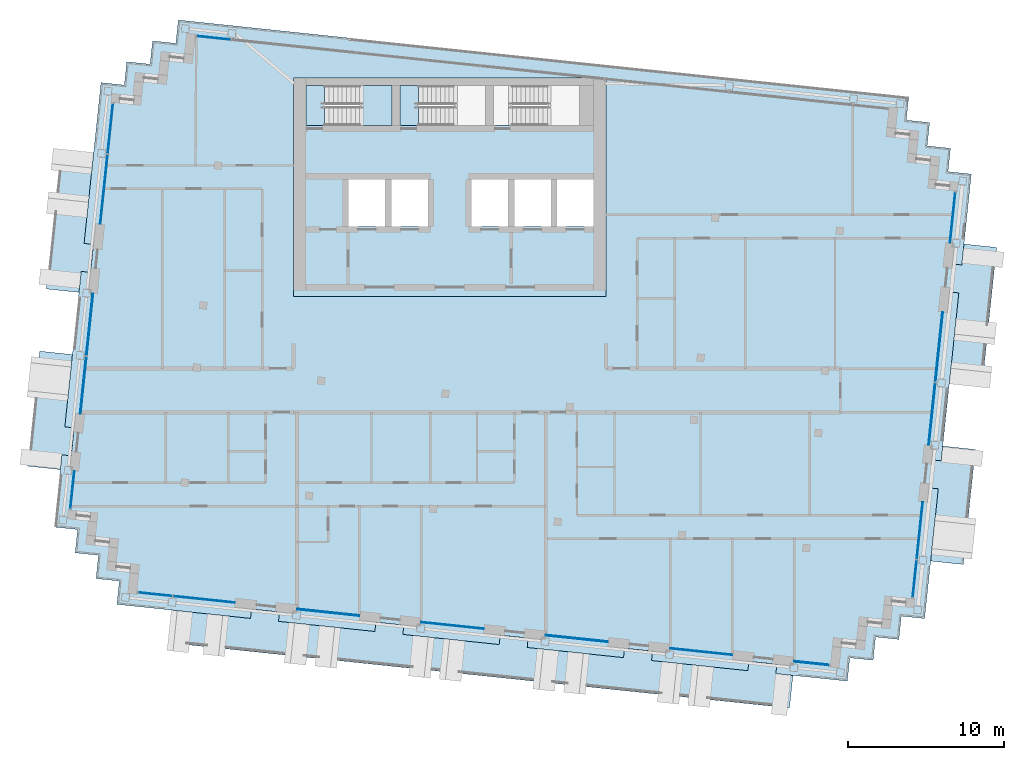
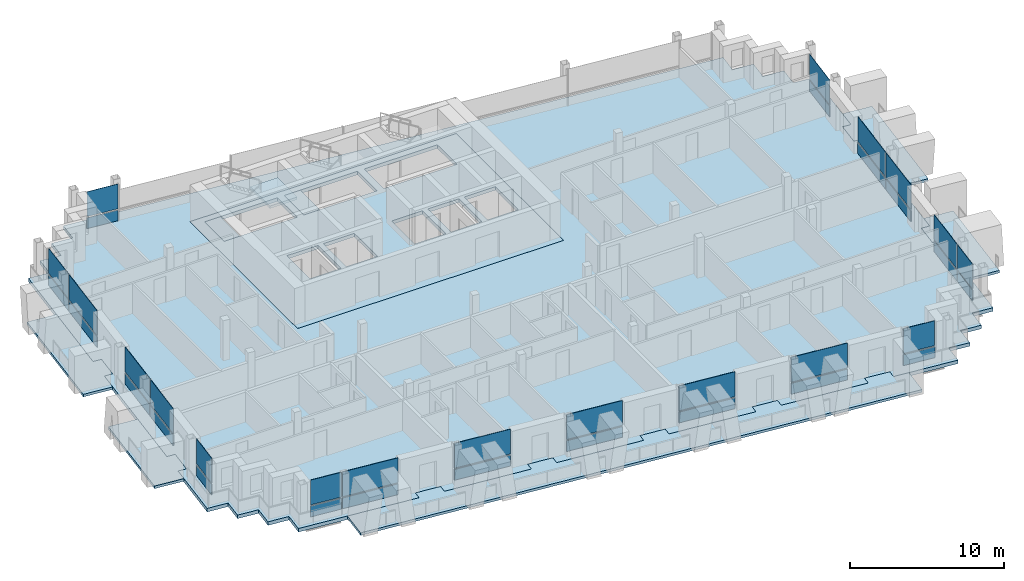
# One storey, part 7 of 16: 36 plates, 10 slabs, 14 elements without a shape of their own.
"""IFC4 building model written with IfcOpenShell, lengths in metres."""

from ifc_helpers import new_model, si_unit, direction, frame, origin, origin_2d, place, context, subcontext, project, spatial, polyline, rectangle, outline, extrude, material, layer, layer_set, type_object, element, aggregate, save


model = new_model("IFC4")

# Units and contexts
model_context = context("Model", 3, precision=1e-05, world=origin(), true_north=direction((0.0, 1.0)))
body_context = subcontext(model_context, "Body", "Model", "MODEL_VIEW")
ifc_project = project(units=[si_unit("LENGTHUNIT", "METRE"), si_unit("AREAUNIT", "SQUARE_METRE"), si_unit("VOLUMEUNIT", "CUBIC_METRE"), si_unit("PLANEANGLEUNIT", "RADIAN"), si_unit("MASSUNIT", "GRAM", prefix="KILO")], contexts=[model_context])

# Site, building, storey
site_placement = place(None, origin())
site = spatial("IfcSite", under=ifc_project, at=site_placement, CompositionType="ELEMENT")
building_placement = place(site_placement, origin())
building = spatial("IfcBuilding", under=site, at=building_placement, Name="Vidyagriha Tower", CompositionType="ELEMENT")
storey_placement = place(building_placement, frame((0.0, 0.0, 275.5)))
storey = spatial("IfcBuildingStorey", under=building, at=storey_placement, Name="L72", CompositionType="ELEMENT", Elevation=275.5)

# Curtain wall, plate
ifc_material_1 = material(Name="Aluminium and glass curtain wall", Category="aluminium")
curtain_wall_type = type_object("IfcCurtainWallType", Name="Dwelling skin unitised curtain wall", PredefinedType="USERDEFINED", material=ifc_material_1)
curtain_wall_1_placement = place(storey_placement, origin())
curtain_wall_1 = element("IfcCurtainWall", 1, at=curtain_wall_1_placement, inside=storey, type_object=curtain_wall_type, Name="CW1 dwelling skin", ObjectType="UNITISED", PredefinedType="USERDEFINED")
ifc_material_2 = material(Name="Glass dark ceramic-fritted spandrel", Category="glass")
ifc_layer_1 = layer(ifc_material_2, 0.0400390625)
ifc_layer_set_1 = layer_set([ifc_layer_1], Name="Glass dark ceramic-fritted spandrel")
plate_type_1 = type_object("IfcPlateType", Name="Ceramic-fritted spandrel panel", PredefinedType="CURTAIN_PANEL", material=ifc_layer_set_1)
plate_1_placement = place(storey_placement, frame((-15.11083984375, 22.56396484375, 0.0), z_axis=(0.0, 0.0, 1.0), x_axis=(-0.994521854435, 0.104528852722, 0.0)))
plate_1 = element("IfcPlate", 2, at=plate_1_placement, type_object=plate_type_1, Name="CW1 panel 7.1", PredefinedType="CURTAIN_PANEL", context=body_context, shape_type="SweptSolid", body=[
    extrude(rectangle(XDim=2.195068359375, YDim=0.0400390625, at=origin_2d()), origin(), (0.0, 0.0, 1.0), 0.85009765625),
])

# Curtain wall, plates
curtain_wall_2_placement = place(storey_placement, origin())
curtain_wall_2 = element("IfcCurtainWall", 3, at=curtain_wall_2_placement, inside=storey, type_object=curtain_wall_type, Name="CW1 dwelling skin", ObjectType="UNITISED", PredefinedType="USERDEFINED")
plate_2_placement = place(storey_placement, frame((-21.7216796875, 16.755615234375, 0.0), z_axis=(0.0, 0.0, 1.0), x_axis=(-0.104525282489, -0.994522229676, 0.0)))
plate_2 = element("IfcPlate", 4, at=plate_2_placement, type_object=plate_type_1, Name="CW1 panel 1.1", PredefinedType="CURTAIN_PANEL", context=body_context, shape_type="SweptSolid", body=[
    extrude(rectangle(XDim=3.195068359375, YDim=0.0400390625, at=origin_2d()), origin(), (0.0, 0.0, 1.0), 0.85009765625),
])
plate_3_placement = place(storey_placement, frame((-22.12939453125, 12.876953125, 0.0), z_axis=(0.0, 0.0, 1.0), x_axis=(-0.104525282489, -0.994522229676, 0.0)))
plate_3 = element("IfcPlate", 5, at=plate_3_placement, type_object=plate_type_1, Name="CW1 panel 2.1", PredefinedType="CURTAIN_PANEL", context=body_context, shape_type="SweptSolid", body=[
    extrude(rectangle(XDim=4.465087890625, YDim=0.0400390625, at=origin_2d()), origin(), (0.0, 0.0, 1.0), 0.85009765625),
])

# Curtain wall, plate
curtain_wall_3_placement = place(storey_placement, origin())
curtain_wall_3 = element("IfcCurtainWall", 6, at=curtain_wall_3_placement, inside=storey, type_object=curtain_wall_type, Name="CW1 dwelling skin", ObjectType="UNITISED", PredefinedType="USERDEFINED")
plate_4_placement = place(storey_placement, frame((-24.151611328125, -6.364501953125, 0.0), z_axis=(0.0, 0.0, 1.0), x_axis=(-0.10451613172, -0.994523191389, 0.0)))
plate_4 = element("IfcPlate", 7, at=plate_4_placement, type_object=plate_type_1, Name="CW1 panel 1.1", PredefinedType="CURTAIN_PANEL", context=body_context, shape_type="SweptSolid", body=[
    extrude(rectangle(XDim=2.43017578125, YDim=0.0400390625, at=origin_2d()), origin(), (0.0, 0.0, 1.0), 0.85009765625),
])

# Curtain wall, plates
curtain_wall_4_placement = place(storey_placement, origin())
curtain_wall_4 = element("IfcCurtainWall", 8, at=curtain_wall_4_placement, inside=storey, type_object=curtain_wall_type, Name="CW1 dwelling skin", ObjectType="UNITISED", PredefinedType="USERDEFINED")
plate_5_placement = place(storey_placement, frame((-18.852783203125, -13.0400390625, 0.0), z_axis=(0.0, 0.0, 1.0), x_axis=(0.994522400055, -0.104523661385, 0.0)))
plate_5 = element("IfcPlate", 9, at=plate_5_placement, type_object=plate_type_1, Name="CW1 panel 1.1", PredefinedType="CURTAIN_PANEL", context=body_context, shape_type="SweptSolid", body=[
    extrude(rectangle(XDim=2.195068359375, YDim=0.0400390625, at=origin_2d()), origin(), (0.0, 0.0, 1.0), 0.85009765625),
])
plate_6_placement = place(storey_placement, frame((-15.72021484375, -13.369384765625, 0.0), z_axis=(0.0, 0.0, 1.0), x_axis=(0.994522400055, -0.104523661385, 0.0)))
plate_6 = element("IfcPlate", 10, at=plate_6_placement, type_object=plate_type_1, Name="CW1 panel 2.1", PredefinedType="CURTAIN_PANEL", context=body_context, shape_type="SweptSolid", body=[
    extrude(rectangle(XDim=3.965087890625, YDim=0.0400390625, at=origin_2d()), origin(), (0.0, 0.0, 1.0), 0.85009765625),
])

# Curtain wall, plate
curtain_wall_5_placement = place(storey_placement, origin())
curtain_wall_5 = element("IfcCurtainWall", 11, at=curtain_wall_5_placement, inside=storey, type_object=curtain_wall_type, Name="CW1 dwelling skin", ObjectType="UNITISED", PredefinedType="USERDEFINED")
plate_7_placement = place(storey_placement, frame((0.1748046875, -15.039794921875, 0.0), z_axis=(0.0, 0.0, 1.0), x_axis=(0.994522016164, -0.104527313963, 0.0)))
plate_7 = element("IfcPlate", 12, at=plate_7_placement, type_object=plate_type_1, Name="CW1 panel 1.1", PredefinedType="CURTAIN_PANEL", context=body_context, shape_type="SweptSolid", body=[
    extrude(rectangle(XDim=4.0, YDim=0.0400390625, at=origin_2d()), origin(), (0.0, 0.0, 1.0), 0.85009765625),
])

curtain_wall_6_placement = place(storey_placement, origin())
curtain_wall_6 = element("IfcCurtainWall", 13, at=curtain_wall_6_placement, inside=storey, type_object=curtain_wall_type, Name="CW1 dwelling skin", ObjectType="UNITISED", PredefinedType="USERDEFINED")
plate_8_placement = place(storey_placement, frame((16.087158203125, -16.71240234375, 0.0), z_axis=(0.0, 0.0, 1.0), x_axis=(0.994522289309, -0.104524715101, 0.0)))
plate_8 = element("IfcPlate", 14, at=plate_8_placement, type_object=plate_type_1, Name="CW1 panel 1.1", PredefinedType="CURTAIN_PANEL", context=body_context, shape_type="SweptSolid", body=[
    extrude(rectangle(XDim=4.0, YDim=0.0400390625, at=origin_2d()), origin(), (0.0, 0.0, 1.0), 0.85009765625),
])

# Curtain wall, plates
curtain_wall_7_placement = place(storey_placement, origin())
curtain_wall_7 = element("IfcCurtainWall", 15, at=curtain_wall_7_placement, inside=storey, type_object=curtain_wall_type, Name="CW1 dwelling skin", ObjectType="UNITISED", PredefinedType="USERDEFINED")
plate_9_placement = place(storey_placement, frame((29.74951171875, -12.04736328125, 0.0), z_axis=(0.0, 0.0, 1.0), x_axis=(0.10453281607, 0.994521437861, 0.0)))
plate_9 = element("IfcPlate", 16, at=plate_9_placement, type_object=plate_type_1, Name="CW1 panel 1.1", PredefinedType="CURTAIN_PANEL", context=body_context, shape_type="SweptSolid", body=[
    extrude(rectangle(XDim=2.39501953125, YDim=0.0400390625, at=origin_2d()), origin(), (0.0, 0.0, 1.0), 0.85009765625),
])
plate_10_placement = place(storey_placement, frame((30.073486328125, -8.96435546875, 0.0), z_axis=(0.0, 0.0, 1.0), x_axis=(0.10453281607, 0.994521437861, 0.0)))
plate_10 = element("IfcPlate", 17, at=plate_10_placement, type_object=plate_type_1, Name="CW1 panel 2.1", PredefinedType="CURTAIN_PANEL", context=body_context, shape_type="SweptSolid", body=[
    extrude(rectangle(XDim=3.6650390625, YDim=0.0400390625, at=origin_2d()), origin(), (0.0, 0.0, 1.0), 0.85009765625),
])

# Curtain wall, plate
curtain_wall_8_placement = place(storey_placement, origin())
curtain_wall_8 = element("IfcCurtainWall", 18, at=curtain_wall_8_placement, inside=storey, type_object=curtain_wall_type, Name="CW1 dwelling skin", ObjectType="UNITISED", PredefinedType="USERDEFINED")
plate_11_placement = place(storey_placement, frame((32.1796875, 11.07275390625, 0.0), z_axis=(0.0, 0.0, 1.0), x_axis=(0.10451599791, 0.994523205451, 0.0)))
plate_11 = element("IfcPlate", 19, at=plate_11_placement, type_object=plate_type_1, Name="CW1 panel 1.1", PredefinedType="CURTAIN_PANEL", context=body_context, shape_type="SweptSolid", body=[
    extrude(rectangle(XDim=3.22998046875, YDim=0.0400390625, at=origin_2d()), origin(), (0.0, 0.0, 1.0), 0.85009765625),
])

# Slab
ifc_material_3 = material(Name="Concrete C60/75", Category="concrete")
ifc_layer_2 = layer(ifc_material_3, 0.280029296875)
ifc_layer_set_2 = layer_set([ifc_layer_2], Name="Concrete C60/75")
slab_type_1 = type_object("IfcSlabType", Name="Core floor slab 280 mm", PredefinedType="FLOOR", material=ifc_layer_set_2)
slab_1_placement = place(storey_placement, frame((0.0, 0.0, -0.280029296875)))
element("IfcSlab", 20, at=slab_1_placement, inside=storey, type_object=slab_type_1, Name="L72 core floor 1", PredefinedType="FLOOR", context=body_context, shape_type="SweptSolid", body=[
    extrude(outline(polyline([(-10.0, 6.0), (-10.0, 20.0), (10.0, 20.0), (10.0, 6.0), (-10.0, 6.0)]), holes=[polyline([(6.86669921875, 13.5), (6.86669921875, 10.5), (9.199951171875, 10.5), (9.199951171875, 13.5), (6.86669921875, 13.5)]), polyline([(4.0, 19.5), (2.800048828125, 19.5), (2.800048828125, 16.949951171875), (4.0, 16.949951171875), (8.300048828125, 16.949951171875), (8.300048828125, 19.5), (4.0, 19.5)]), polyline([(6.466796875, 13.5), (4.13330078125, 13.5), (4.13330078125, 10.5), (6.466796875, 10.5), (6.466796875, 13.5)]), polyline([(3.7333984375, 13.5), (1.39990234375, 13.5), (1.39990234375, 10.5), (3.7333984375, 10.5), (3.7333984375, 13.5)]), polyline([(-2.0, 16.949951171875), (2.300048828125, 16.949951171875), (2.300048828125, 19.5), (-2.0, 19.5), (-3.199951171875, 19.5), (-3.199951171875, 16.949951171875), (-2.0, 16.949951171875)]), polyline([(-3.7333984375, 13.5), (-3.7333984375, 10.5), (-1.39990234375, 10.5), (-1.39990234375, 13.5), (-3.7333984375, 13.5)]), polyline([(-9.199951171875, 19.5), (-9.199951171875, 16.949951171875), (-8.0, 16.949951171875), (-3.699951171875, 16.949951171875), (-3.699951171875, 19.5), (-8.0, 19.5), (-9.199951171875, 19.5)]), polyline([(-6.466796875, 13.5), (-6.466796875, 10.5), (-4.13330078125, 10.5), (-4.13330078125, 13.5), (-6.466796875, 13.5)])]), origin(), (0.0, 0.0, 1.0), 0.280029296875),
])

# Plate
ifc_material_4 = material(Name="Glass dark ceramic-fritted", Category="glass")
ifc_layer_3 = layer(ifc_material_4, 0.028076171875)
ifc_layer_set_3 = layer_set([ifc_layer_3], Name="Glass dark ceramic-fritted")
plate_type_2 = type_object("IfcPlateType", Name="Dark ceramic-fritted vision glass panel", PredefinedType="CURTAIN_PANEL", material=ifc_layer_set_3)
plate_12_placement = place(storey_placement, frame((-15.11083984375, 22.56396484375, 0.9501953125), z_axis=(0.0, 0.0, 1.0), x_axis=(-0.994521854435, 0.104528852722, 0.0)))
plate_12 = element("IfcPlate", 21, at=plate_12_placement, type_object=plate_type_2, Name="CW1 panel 7.2", PredefinedType="CURTAIN_PANEL", context=body_context, shape_type="SweptSolid", body=[
    extrude(rectangle(XDim=2.195068359375, YDim=0.028076171875, at=origin_2d()), origin(), (0.0, 0.0, 1.0), 1.969970703125),
])

aggregate(curtain_wall_1, [plate_1, plate_12])

plate_13_placement = place(storey_placement, frame((-21.7216796875, 16.755615234375, 0.9501953125), z_axis=(0.0, 0.0, 1.0), x_axis=(-0.104525282489, -0.994522229676, 0.0)))
plate_13 = element("IfcPlate", 22, at=plate_13_placement, type_object=plate_type_2, Name="CW1 panel 1.2", PredefinedType="CURTAIN_PANEL", context=body_context, shape_type="SweptSolid", body=[
    extrude(rectangle(XDim=3.195068359375, YDim=0.028076171875, at=origin_2d()), origin(), (0.0, 0.0, 1.0), 1.969970703125),
])

plate_14_placement = place(storey_placement, frame((-22.12939453125, 12.876953125, 0.9501953125), z_axis=(0.0, 0.0, 1.0), x_axis=(-0.104525282489, -0.994522229676, 0.0)))
plate_14 = element("IfcPlate", 23, at=plate_14_placement, type_object=plate_type_2, Name="CW1 panel 2.2", PredefinedType="CURTAIN_PANEL", context=body_context, shape_type="SweptSolid", body=[
    extrude(rectangle(XDim=4.465087890625, YDim=0.028076171875, at=origin_2d()), origin(), (0.0, 0.0, 1.0), 1.969970703125),
])

aggregate(curtain_wall_2, [plate_2, plate_13, plate_3, plate_14])

# Curtain wall, plates
curtain_wall_9_placement = place(storey_placement, origin())
curtain_wall_9 = element("IfcCurtainWall", 24, at=curtain_wall_9_placement, inside=storey, type_object=curtain_wall_type, Name="CW1 dwelling skin", ObjectType="UNITISED", PredefinedType="USERDEFINED")
plate_15_placement = place(storey_placement, frame((-23.040283203125, 4.209716796875, 0.9501953125), z_axis=(0.0, 0.0, 1.0), x_axis=(-0.10453267483, -0.994521452706, 0.0)))
plate_15 = element("IfcPlate", 25, at=plate_15_placement, type_object=plate_type_2, Name="CW1 panel 1.2", PredefinedType="CURTAIN_PANEL", context=body_context, shape_type="SweptSolid", body=[
    extrude(rectangle(XDim=3.965087890625, YDim=0.028076171875, at=origin_2d()), origin(), (0.0, 0.0, 1.0), 1.969970703125),
])
plate_16_placement = place(storey_placement, frame((-23.4462890625, 0.345947265625, 0.9501953125), z_axis=(0.0, 0.0, 1.0), x_axis=(-0.10453267483, -0.994521452706, 0.0)))
plate_16 = element("IfcPlate", 26, at=plate_16_placement, type_object=plate_type_2, Name="CW1 panel 2.2", PredefinedType="CURTAIN_PANEL", context=body_context, shape_type="SweptSolid", body=[
    extrude(rectangle(XDim=3.6650390625, YDim=0.028076171875, at=origin_2d()), origin(), (0.0, 0.0, 1.0), 1.969970703125),
])

# Plate
plate_17_placement = place(storey_placement, frame((-24.151611328125, -6.364501953125, 0.9501953125), z_axis=(0.0, 0.0, 1.0), x_axis=(-0.10451613172, -0.994523191389, 0.0)))
plate_17 = element("IfcPlate", 27, at=plate_17_placement, type_object=plate_type_2, Name="CW1 panel 1.2", PredefinedType="CURTAIN_PANEL", context=body_context, shape_type="SweptSolid", body=[
    extrude(rectangle(XDim=2.43017578125, YDim=0.028076171875, at=origin_2d()), origin(), (0.0, 0.0, 1.0), 1.969970703125),
])

aggregate(curtain_wall_3, [plate_4, plate_17])

plate_18_placement = place(storey_placement, frame((-18.852783203125, -13.0400390625, 0.9501953125), z_axis=(0.0, 0.0, 1.0), x_axis=(0.994522400055, -0.104523661385, 0.0)))
plate_18 = element("IfcPlate", 28, at=plate_18_placement, type_object=plate_type_2, Name="CW1 panel 1.2", PredefinedType="CURTAIN_PANEL", context=body_context, shape_type="SweptSolid", body=[
    extrude(rectangle(XDim=2.195068359375, YDim=0.028076171875, at=origin_2d()), origin(), (0.0, 0.0, 1.0), 1.969970703125),
])

plate_19_placement = place(storey_placement, frame((-15.72021484375, -13.369384765625, 0.9501953125), z_axis=(0.0, 0.0, 1.0), x_axis=(0.994522400055, -0.104523661385, 0.0)))
plate_19 = element("IfcPlate", 29, at=plate_19_placement, type_object=plate_type_2, Name="CW1 panel 2.2", PredefinedType="CURTAIN_PANEL", context=body_context, shape_type="SweptSolid", body=[
    extrude(rectangle(XDim=3.965087890625, YDim=0.028076171875, at=origin_2d()), origin(), (0.0, 0.0, 1.0), 1.969970703125),
])

aggregate(curtain_wall_4, [plate_5, plate_18, plate_6, plate_19])

# Curtain wall, plate
curtain_wall_10_placement = place(storey_placement, origin())
curtain_wall_10 = element("IfcCurtainWall", 30, at=curtain_wall_10_placement, inside=storey, type_object=curtain_wall_type, Name="CW1 dwelling skin", ObjectType="UNITISED", PredefinedType="USERDEFINED")
plate_20_placement = place(storey_placement, frame((-7.78125, -14.20361328125, 0.9501953125), z_axis=(0.0, 0.0, 1.0), x_axis=(0.994519690211, -0.104549441808, 0.0)))
plate_20 = element("IfcPlate", 31, at=plate_20_placement, type_object=plate_type_2, Name="CW1 panel 1.2", PredefinedType="CURTAIN_PANEL", context=body_context, shape_type="SweptSolid", body=[
    extrude(rectangle(XDim=4.0, YDim=0.028076171875, at=origin_2d()), origin(), (0.0, 0.0, 1.0), 1.969970703125),
])

# Plate
plate_21_placement = place(storey_placement, frame((0.1748046875, -15.039794921875, 0.9501953125), z_axis=(0.0, 0.0, 1.0), x_axis=(0.994522016164, -0.104527313963, 0.0)))
plate_21 = element("IfcPlate", 32, at=plate_21_placement, type_object=plate_type_2, Name="CW1 panel 1.2", PredefinedType="CURTAIN_PANEL", context=body_context, shape_type="SweptSolid", body=[
    extrude(rectangle(XDim=4.0, YDim=0.028076171875, at=origin_2d()), origin(), (0.0, 0.0, 1.0), 1.969970703125),
])

aggregate(curtain_wall_5, [plate_7, plate_21])

# Curtain wall, plate
curtain_wall_11_placement = place(storey_placement, origin())
curtain_wall_11 = element("IfcCurtainWall", 33, at=curtain_wall_11_placement, inside=storey, type_object=curtain_wall_type, Name="CW1 dwelling skin", ObjectType="UNITISED", PredefinedType="USERDEFINED")
plate_22_placement = place(storey_placement, frame((8.131103515625, -15.876220703125, 0.9501953125), z_axis=(0.0, 0.0, 1.0), x_axis=(0.994522289309, -0.104524715101, 0.0)))
plate_22 = element("IfcPlate", 34, at=plate_22_placement, type_object=plate_type_2, Name="CW1 panel 1.2", PredefinedType="CURTAIN_PANEL", context=body_context, shape_type="SweptSolid", body=[
    extrude(rectangle(XDim=4.0, YDim=0.028076171875, at=origin_2d()), origin(), (0.0, 0.0, 1.0), 1.969970703125),
])

# Plate
plate_23_placement = place(storey_placement, frame((16.087158203125, -16.71240234375, 0.9501953125), z_axis=(0.0, 0.0, 1.0), x_axis=(0.994522289309, -0.104524715101, 0.0)))
plate_23 = element("IfcPlate", 35, at=plate_23_placement, type_object=plate_type_2, Name="CW1 panel 1.2", PredefinedType="CURTAIN_PANEL", context=body_context, shape_type="SweptSolid", body=[
    extrude(rectangle(XDim=4.0, YDim=0.028076171875, at=origin_2d()), origin(), (0.0, 0.0, 1.0), 1.969970703125),
])

aggregate(curtain_wall_6, [plate_8, plate_23])

# Curtain wall, plate
curtain_wall_12_placement = place(storey_placement, origin())
curtain_wall_12 = element("IfcCurtainWall", 36, at=curtain_wall_12_placement, inside=storey, type_object=curtain_wall_type, Name="CW1 dwelling skin", ObjectType="UNITISED", PredefinedType="USERDEFINED")
plate_24_placement = place(storey_placement, frame((23.1630859375, -17.4560546875, 0.9501953125), z_axis=(0.0, 0.0, 1.0), x_axis=(0.994522592653, -0.10452182883, 0.0)))
plate_24 = element("IfcPlate", 37, at=plate_24_placement, type_object=plate_type_2, Name="CW1 panel 1.2", PredefinedType="CURTAIN_PANEL", context=body_context, shape_type="SweptSolid", body=[
    extrude(rectangle(XDim=2.22998046875, YDim=0.028076171875, at=origin_2d()), origin(), (0.0, 0.0, 1.0), 1.969970703125),
])

# Plate
plate_25_placement = place(storey_placement, frame((29.74951171875, -12.04736328125, 0.9501953125), z_axis=(0.0, 0.0, 1.0), x_axis=(0.10453281607, 0.994521437861, 0.0)))
plate_25 = element("IfcPlate", 38, at=plate_25_placement, type_object=plate_type_2, Name="CW1 panel 1.2", PredefinedType="CURTAIN_PANEL", context=body_context, shape_type="SweptSolid", body=[
    extrude(rectangle(XDim=2.39501953125, YDim=0.028076171875, at=origin_2d()), origin(), (0.0, 0.0, 1.0), 1.969970703125),
])

plate_26_placement = place(storey_placement, frame((30.073486328125, -8.96435546875, 0.9501953125), z_axis=(0.0, 0.0, 1.0), x_axis=(0.10453281607, 0.994521437861, 0.0)))
plate_26 = element("IfcPlate", 39, at=plate_26_placement, type_object=plate_type_2, Name="CW1 panel 2.2", PredefinedType="CURTAIN_PANEL", context=body_context, shape_type="SweptSolid", body=[
    extrude(rectangle(XDim=3.6650390625, YDim=0.028076171875, at=origin_2d()), origin(), (0.0, 0.0, 1.0), 1.969970703125),
])

aggregate(curtain_wall_7, [plate_9, plate_25, plate_10, plate_26])

# Curtain wall, plates
curtain_wall_13_placement = place(storey_placement, origin())
curtain_wall_13 = element("IfcCurtainWall", 40, at=curtain_wall_13_placement, inside=storey, type_object=curtain_wall_type, Name="CW1 dwelling skin", ObjectType="UNITISED", PredefinedType="USERDEFINED")
plate_27_placement = place(storey_placement, frame((30.859130859375, -1.490478515625, 0.9501953125), z_axis=(0.0, 0.0, 1.0), x_axis=(0.104529843047, 0.994521750347, 0.0)))
plate_27 = element("IfcPlate", 41, at=plate_27_placement, type_object=plate_type_2, Name="CW1 panel 1.2", PredefinedType="CURTAIN_PANEL", context=body_context, shape_type="SweptSolid", body=[
    extrude(rectangle(XDim=3.965087890625, YDim=0.028076171875, at=origin_2d()), origin(), (0.0, 0.0, 1.0), 1.969970703125),
])
plate_28_placement = place(storey_placement, frame((31.306884765625, 2.77099609375, 0.9501953125), z_axis=(0.0, 0.0, 1.0), x_axis=(0.104529843047, 0.994521750347, 0.0)))
plate_28 = element("IfcPlate", 42, at=plate_28_placement, type_object=plate_type_2, Name="CW1 panel 2.2", PredefinedType="CURTAIN_PANEL", context=body_context, shape_type="SweptSolid", body=[
    extrude(rectangle(XDim=4.465087890625, YDim=0.028076171875, at=origin_2d()), origin(), (0.0, 0.0, 1.0), 1.969970703125),
])

# Plate
plate_29_placement = place(storey_placement, frame((32.1796875, 11.07275390625, 0.9501953125), z_axis=(0.0, 0.0, 1.0), x_axis=(0.10451599791, 0.994523205451, 0.0)))
plate_29 = element("IfcPlate", 43, at=plate_29_placement, type_object=plate_type_2, Name="CW1 panel 1.2", PredefinedType="CURTAIN_PANEL", context=body_context, shape_type="SweptSolid", body=[
    extrude(rectangle(XDim=3.22998046875, YDim=0.028076171875, at=origin_2d()), origin(), (0.0, 0.0, 1.0), 1.969970703125),
])

aggregate(curtain_wall_8, [plate_11, plate_29])

# Slabs
ifc_material_5 = material(Name="Concrete C40/50", Category="concrete")
ifc_layer_4 = layer(ifc_material_5, 0.280029296875)
ifc_layer_set_4 = layer_set([ifc_layer_4], Name="Concrete C40/50")
slab_type_2 = type_object("IfcSlabType", Name="Exit stair floor landing 280 mm", PredefinedType="LANDING", material=ifc_layer_set_4)
slab_2_placement = place(storey_placement, frame((0.0, 0.0, -0.280029296875)))
element("IfcSlab", 44, at=slab_2_placement, inside=storey, type_object=slab_type_2, Name="ST1 floor landing L72", PredefinedType="LANDING", context=body_context, shape_type="SweptSolid", body=[
    extrude(outline(polyline([(-9.199951171875, 16.949951171875), (-8.0, 16.949951171875), (-8.0, 19.5), (-9.199951171875, 19.5), (-9.199951171875, 16.949951171875)])), origin(), (0.0, 0.0, 1.0), 0.280029296875),
])
slab_3_placement = place(storey_placement, frame((0.0, 0.0, -0.280029296875)))
element("IfcSlab", 45, at=slab_3_placement, inside=storey, type_object=slab_type_2, Name="ST2 floor landing L72", PredefinedType="LANDING", context=body_context, shape_type="SweptSolid", body=[
    extrude(outline(polyline([(-3.199951171875, 16.949951171875), (-2.0, 16.949951171875), (-2.0, 19.5), (-3.199951171875, 19.5), (-3.199951171875, 16.949951171875)])), origin(), (0.0, 0.0, 1.0), 0.280029296875),
])

# Stair, slab
ifc_material_6 = material(Name="Concrete C40/50", Category="concrete")
stair_type = type_object("IfcStairType", Name="Exit stair, half-turn, precast flights", PredefinedType="HALF_TURN_STAIR", material=ifc_material_6)
stair_placement = place(storey_placement, origin())
stair = element("IfcStair", 46, at=stair_placement, inside=storey, type_object=stair_type, Name="L72 Exit Stair ST1", PredefinedType="HALF_TURN_STAIR")
ifc_material_7 = material(Name="Concrete C40/50", Category="concrete")
ifc_layer_5 = layer(ifc_material_7, 0.199951171875)
ifc_layer_set_5 = layer_set([ifc_layer_5], Name="Concrete C40/50")
slab_type_3 = type_object("IfcSlabType", Name="Exit stair landing 200 mm", PredefinedType="LANDING", material=ifc_layer_set_5)
slab_4_placement = place(storey_placement, frame((0.0, 0.0, 1.39990234375)))
slab_4 = element("IfcSlab", 47, at=slab_4_placement, type_object=slab_type_3, Name="ST1 landing 1", PredefinedType="LANDING", context=body_context, shape_type="SweptSolid", body=[
    extrude(outline(polyline([(-5.760009765625, 16.949951171875), (-3.699951171875, 16.949951171875), (-3.699951171875, 19.5), (-5.760009765625, 19.5), (-5.760009765625, 16.949951171875)])), origin(), (0.0, 0.0, 1.0), 0.2001953125),
])
aggregate(stair, [slab_4])

# Plate
ifc_material_8 = material(Name="Aluminium black anodised", Category="aluminium")
ifc_layer_6 = layer(ifc_material_8, 0.06005859375)
ifc_layer_set_6 = layer_set([ifc_layer_6], Name="Aluminium black anodised")
plate_type_3 = type_object("IfcPlateType", Name="Operable black-metal vent panel", PredefinedType="CURTAIN_PANEL", material=ifc_layer_set_6)
plate_30_placement = place(storey_placement, frame((-23.040283203125, 4.209716796875, 0.0), z_axis=(0.0, 0.0, 1.0), x_axis=(-0.10453267483, -0.994521452706, 0.0)))
plate_30 = element("IfcPlate", 48, at=plate_30_placement, type_object=plate_type_3, Name="CW1 panel 1.1", PredefinedType="CURTAIN_PANEL", context=body_context, shape_type="SweptSolid", body=[
    extrude(rectangle(XDim=3.965087890625, YDim=0.06005859375, at=origin_2d()), origin(), (0.0, 0.0, 1.0), 0.85009765625),
])

plate_31_placement = place(storey_placement, frame((-23.4462890625, 0.345947265625, 0.0), z_axis=(0.0, 0.0, 1.0), x_axis=(-0.10453267483, -0.994521452706, 0.0)))
plate_31 = element("IfcPlate", 49, at=plate_31_placement, type_object=plate_type_3, Name="CW1 panel 2.1", PredefinedType="CURTAIN_PANEL", context=body_context, shape_type="SweptSolid", body=[
    extrude(rectangle(XDim=3.6650390625, YDim=0.06005859375, at=origin_2d()), origin(), (0.0, 0.0, 1.0), 0.85009765625),
])

aggregate(curtain_wall_9, [plate_30, plate_15, plate_31, plate_16])

plate_32_placement = place(storey_placement, frame((-7.78125, -14.20361328125, 0.0), z_axis=(0.0, 0.0, 1.0), x_axis=(0.994519690211, -0.104549441808, 0.0)))
plate_32 = element("IfcPlate", 50, at=plate_32_placement, type_object=plate_type_3, Name="CW1 panel 1.1", PredefinedType="CURTAIN_PANEL", context=body_context, shape_type="SweptSolid", body=[
    extrude(rectangle(XDim=4.0, YDim=0.06005859375, at=origin_2d()), origin(), (0.0, 0.0, 1.0), 0.85009765625),
])

aggregate(curtain_wall_10, [plate_32, plate_20])

plate_33_placement = place(storey_placement, frame((8.131103515625, -15.876220703125, 0.0), z_axis=(0.0, 0.0, 1.0), x_axis=(0.994522289309, -0.104524715101, 0.0)))
plate_33 = element("IfcPlate", 51, at=plate_33_placement, type_object=plate_type_3, Name="CW1 panel 1.1", PredefinedType="CURTAIN_PANEL", context=body_context, shape_type="SweptSolid", body=[
    extrude(rectangle(XDim=4.0, YDim=0.06005859375, at=origin_2d()), origin(), (0.0, 0.0, 1.0), 0.85009765625),
])

aggregate(curtain_wall_11, [plate_33, plate_22])

plate_34_placement = place(storey_placement, frame((23.1630859375, -17.4560546875, 0.0), z_axis=(0.0, 0.0, 1.0), x_axis=(0.994522592653, -0.10452182883, 0.0)))
plate_34 = element("IfcPlate", 52, at=plate_34_placement, type_object=plate_type_3, Name="CW1 panel 1.1", PredefinedType="CURTAIN_PANEL", context=body_context, shape_type="SweptSolid", body=[
    extrude(rectangle(XDim=2.22998046875, YDim=0.06005859375, at=origin_2d()), origin(), (0.0, 0.0, 1.0), 0.85009765625),
])

aggregate(curtain_wall_12, [plate_34, plate_24])

plate_35_placement = place(storey_placement, frame((30.859130859375, -1.490478515625, 0.0), z_axis=(0.0, 0.0, 1.0), x_axis=(0.104529843047, 0.994521750347, 0.0)))
plate_35 = element("IfcPlate", 53, at=plate_35_placement, type_object=plate_type_3, Name="CW1 panel 1.1", PredefinedType="CURTAIN_PANEL", context=body_context, shape_type="SweptSolid", body=[
    extrude(rectangle(XDim=3.965087890625, YDim=0.06005859375, at=origin_2d()), origin(), (0.0, 0.0, 1.0), 0.85009765625),
])

plate_36_placement = place(storey_placement, frame((31.306884765625, 2.77099609375, 0.0), z_axis=(0.0, 0.0, 1.0), x_axis=(0.104529843047, 0.994521750347, 0.0)))
plate_36 = element("IfcPlate", 54, at=plate_36_placement, type_object=plate_type_3, Name="CW1 panel 2.1", PredefinedType="CURTAIN_PANEL", context=body_context, shape_type="SweptSolid", body=[
    extrude(rectangle(XDim=4.465087890625, YDim=0.06005859375, at=origin_2d()), origin(), (0.0, 0.0, 1.0), 0.85009765625),
])

aggregate(curtain_wall_13, [plate_35, plate_27, plate_36, plate_28])

# Slabs
ifc_material_9 = material(Name="Concrete C50/60", Category="concrete")
ifc_layer_7 = layer(ifc_material_9, 0.280029296875)
ifc_layer_set_7 = layer_set([ifc_layer_7], Name="Concrete C50/60")
slab_type_4 = type_object("IfcSlabType", Name="Post-tensioned flat plate 280", PredefinedType="FLOOR", material=ifc_layer_set_7)
slab_5_placement = place(storey_placement, frame((0.0, 0.0, -0.280029296875)))
element("IfcSlab", 55, at=slab_5_placement, inside=storey, type_object=slab_type_4, Name="st-slab-L72-1", PredefinedType="FLOOR", context=body_context, shape_type="SweptSolid", body=[
    extrude(outline(polyline([(28.738037109375, -15.930419921875), (27.246337890625, -15.773681640625), (27.089599609375, -17.265380859375), (25.597900390625, -17.108642578125), (25.44091796875, -18.600341796875), (20.8662109375, -18.11962890625), (20.928955078125, -17.52294921875), (19.138916015625, -17.334716796875), (19.076171875, -17.931396484375), (12.91015625, -17.283447265625), (12.972900390625, -16.686767578125), (11.1826171875, -16.49853515625), (11.119873046875, -17.09521484375), (4.953857421875, -16.447265625), (5.0166015625, -15.8505859375), (3.226318359375, -15.662353515625), (3.163818359375, -16.259033203125), (-3.002197265625, -15.61083984375), (-2.939453125, -15.014404296875), (-4.729736328125, -14.826171875), (-4.79248046875, -15.4228515625), (-10.95849609375, -14.774658203125), (-10.895751953125, -14.177978515625), (-12.685791015625, -13.98974609375), (-12.74853515625, -14.586669921875), (-21.301513671875, -13.6875), (-21.144775390625, -12.19580078125), (-22.636474609375, -12.0390625), (-22.479736328125, -10.547119140625), (-23.971435546875, -10.390380859375), (-23.814697265625, -8.898681640625), (-25.306396484375, -8.741943359375), (-24.8203125, -4.1171875), (-24.223876953125, -4.179931640625), (-24.03564453125, -2.389892578125), (-24.63232421875, -2.3271484375), (-23.5869140625, 7.617919921875), (-22.990234375, 7.555419921875), (-22.80224609375, 9.345458984375), (-23.39892578125, 9.408203125), (-22.31689453125, 19.701416015625), (-20.8251953125, 19.544677734375), (-20.66845703125, 21.036376953125), (-19.176513671875, 20.879638671875), (-19.019775390625, 22.371337890625), (-17.528076171875, 22.214599609375), (-17.371337890625, 23.706298828125), (29.371337890625, 18.793701171875), (29.214599609375, 17.3017578125), (30.706298828125, 17.14501953125), (30.549560546875, 15.6533203125), (32.041259765625, 15.496337890625), (31.884521484375, 14.004638671875), (33.376220703125, 13.847900390625), (32.7646484375, 8.02978515625), (32.16796875, 8.092529296875), (31.97998046875, 6.302490234375), (32.57666015625, 6.23974609375), (31.44775390625, -4.501220703125), (30.85107421875, -4.4384765625), (30.662841796875, -6.228515625), (31.259521484375, -6.291259765625), (30.38671875, -14.595458984375), (28.89501953125, -14.438720703125), (28.738037109375, -15.930419921875)]), holes=[polyline([(-10.0, 20.0), (-10.0, 6.0), (10.0, 6.0), (10.0, 20.0), (-10.0, 20.0)])]), origin(), (0.0, 0.0, 1.0), 0.280029296875),
])
ifc_material_10 = material(Name="Precast concrete C40/50", Category="concrete")
ifc_layer_8 = layer(ifc_material_10, 0.199951171875)
ifc_layer_set_8 = layer_set([ifc_layer_8], Name="Precast concrete C40/50")
slab_type_5 = type_object("IfcSlabType", Name="Precast balcony slab 200", PredefinedType="USERDEFINED", material=ifc_layer_set_8)
slab_6_placement = place(storey_placement, frame((0.0, 0.0, -0.199951171875)))
element("IfcSlab", 56, at=slab_6_placement, inside=storey, type_object=slab_type_5, Name="Balcony slab L72 R14.1-1", ObjectType="BALCONY", PredefinedType="USERDEFINED", context=body_context, shape_type="SweptSolid", body=[
    extrude(outline(polyline([(-22.990234375, 7.555419921875), (-22.80224609375, 9.345458984375), (-23.39892578125, 9.408203125), (-22.787353515625, 15.226318359375), (-24.8759765625, 15.44580078125), (-25.816650390625, 6.4951171875), (-23.728271484375, 6.275390625), (-23.587158203125, 7.617919921875), (-22.990234375, 7.555419921875)])), origin(), (0.0, 0.0, 1.0), 0.199951171875),
])
slab_7_placement = place(storey_placement, frame((0.0, 0.0, -0.199951171875)))
element("IfcSlab", 57, at=slab_7_placement, inside=storey, type_object=slab_type_5, Name="Balcony slab L72 R14.2-2", ObjectType="BALCONY", PredefinedType="USERDEFINED", context=body_context, shape_type="SweptSolid", body=[
    extrude(outline(polyline([(-24.223876953125, -4.179931640625), (-24.03564453125, -2.389892578125), (-24.63232421875, -2.3271484375), (-24.146240234375, 2.29736328125), (-26.23486328125, 2.516845703125), (-27.00830078125, -4.842529296875), (-24.919921875, -5.06201171875), (-24.820556640625, -4.1171875), (-24.223876953125, -4.179931640625)])), origin(), (0.0, 0.0, 1.0), 0.199951171875),
])
slab_8_placement = place(storey_placement, frame((0.0, 0.0, -0.199951171875)))
element("IfcSlab", 58, at=slab_8_placement, inside=storey, type_object=slab_type_5, Name="Balcony slab L72 R21.1-5", ObjectType="BALCONY", PredefinedType="USERDEFINED", context=body_context, shape_type="SweptSolid", body=[
    extrude(outline(polyline([(20.8662109375, -18.11962890625), (20.928955078125, -17.52294921875), (19.138916015625, -17.334716796875), (19.076171875, -17.931396484375), (12.91015625, -17.283447265625), (12.972900390625, -16.686767578125), (11.1826171875, -16.49853515625), (11.119873046875, -17.09521484375), (4.953857421875, -16.447265625), (5.0166015625, -15.8505859375), (3.226318359375, -15.662353515625), (3.163818359375, -16.259033203125), (-3.002197265625, -15.611083984375), (-2.939453125, -15.014404296875), (-4.729736328125, -14.826171875), (-4.79248046875, -15.4228515625), (-10.95849609375, -14.774658203125), (-10.895751953125, -14.177978515625), (-12.685791015625, -13.98974609375), (-12.74853515625, -14.586669921875), (-17.82080078125, -14.053466796875), (-18.040283203125, -16.14208984375), (21.74072265625, -20.322998046875), (21.960205078125, -18.234619140625), (20.8662109375, -18.11962890625)])), origin(), (0.0, 0.0, 1.0), 0.199951171875),
])
slab_9_placement = place(storey_placement, frame((0.0, 0.0, -0.199951171875)))
element("IfcSlab", 59, at=slab_9_placement, inside=storey, type_object=slab_type_5, Name="Balcony slab L72 R28.1-1", ObjectType="BALCONY", PredefinedType="USERDEFINED", context=body_context, shape_type="SweptSolid", body=[
    extrude(outline(polyline([(31.259521484375, -6.291259765625), (30.7734375, -10.915771484375), (32.862060546875, -11.13525390625), (33.635498046875, -3.77587890625), (31.547119140625, -3.556396484375), (31.44775390625, -4.501220703125), (30.85107421875, -4.4384765625), (30.662841796875, -6.228515625), (31.259521484375, -6.291259765625)])), origin(), (0.0, 0.0, 1.0), 0.199951171875),
])
slab_10_placement = place(storey_placement, frame((0.0, 0.0, -0.199951171875)))
element("IfcSlab", 60, at=slab_10_placement, inside=storey, type_object=slab_type_5, Name="Balcony slab L72 R28.2-2", ObjectType="BALCONY", PredefinedType="USERDEFINED", context=body_context, shape_type="SweptSolid", body=[
    extrude(outline(polyline([(32.57666015625, 6.23974609375), (31.965087890625, 0.421875), (34.0537109375, 0.202392578125), (34.994384765625, 9.153076171875), (32.906005859375, 9.37255859375), (32.764892578125, 8.02978515625), (32.16796875, 8.092529296875), (31.97998046875, 6.302490234375), (32.57666015625, 6.23974609375)])), origin(), (0.0, 0.0, 1.0), 0.199951171875),
])

save(model, "model.ifc")
